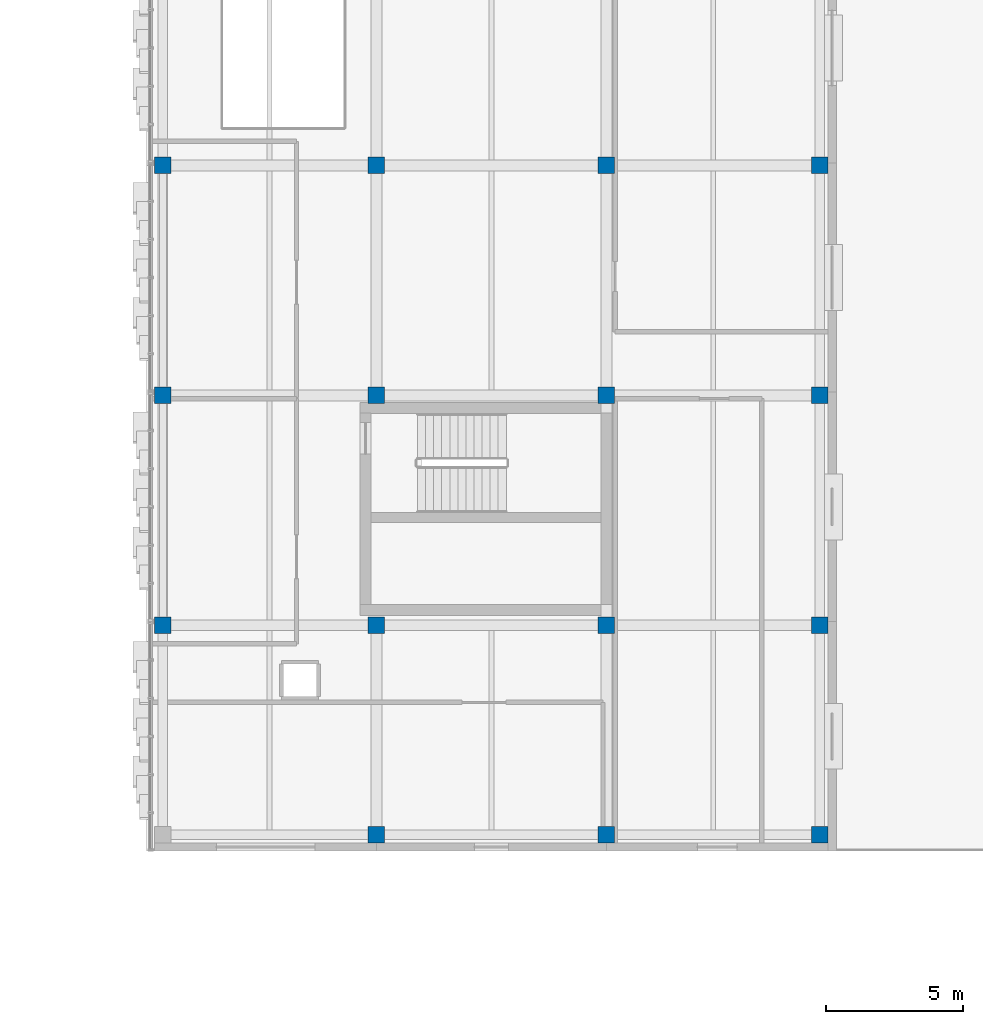
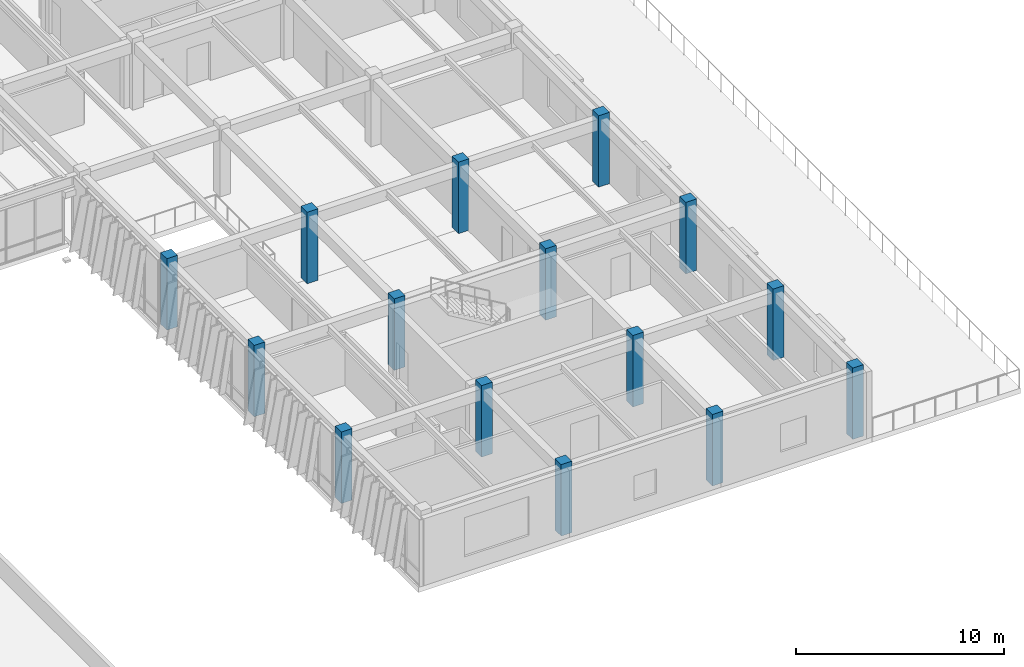
# One storey, part 6 of 127: 15 columns.
"""IFC4 building model written with IfcOpenShell, lengths in metres."""

import ifcopenshell
import ifcopenshell.guid

model = None  # the IFC model being written
_history = None  # IfcOwnerHistory: only IFC2X3 demands one
_inside = {}  # id of a spatial element -> (the spatial element, [elements in it])
_under = {}  # id of a project, library or spatial element -> (it, [spatial elements below it])
_declared = {}  # id of a project -> (the project, [libraries it declares])
_typed = {}  # id of a type object -> (the type object, [elements of that type])
_made_of = {}  # id of a material, layer set ... -> (it, [elements and type objects made of it])


def new_model(schema):
    """Start an empty IFC model of exactly this schema.

    Asked for "IFC4X3", IfcOpenShell would pick the latest addendum, in which some entities
    have other attributes; the version numbers below select the first issue.
    IFC2X3 requires an IfcOwnerHistory on every rooted entity: one is made here for all.
    """
    global model, _history
    if schema == "IFC4X3":
        model = ifcopenshell.file(schema_version=(4, 3, 0, 0))
    else:
        model = ifcopenshell.file(schema=schema)
    _inside.clear()
    _under.clear()
    _declared.clear()
    _typed.clear()
    _made_of.clear()
    _history = None
    if model.schema == "IFC2X3":
        org = make("IfcOrganization", Name="unknown")
        user = make(
            "IfcPersonAndOrganization",
            ThePerson=make("IfcPerson", FamilyName="unknown"),
            TheOrganization=org,
        )
        app = make(
            "IfcApplication",
            ApplicationDeveloper=org,
            Version="unknown",
            ApplicationFullName="unknown",
            ApplicationIdentifier="unknown",
        )
        _history = make(
            "IfcOwnerHistory",
            OwningUser=user,
            OwningApplication=app,
            ChangeAction="ADDED",
            CreationDate=0,
        )
    return model


def make(cls, **values):
    """One entity of the class cls with the attributes given. An attribute that is None is left unset."""
    return model.create_entity(
        cls, **{name: value for name, value in values.items() if value is not None}
    )


def rooted(cls, **values):
    """An entity with a GlobalId (a new one), such as an element, a storey or a relation."""
    return make(cls, GlobalId=ifcopenshell.guid.new(), OwnerHistory=_history, **values)


def si_unit(unit_type, name, prefix=None):
    """IfcSIUnit, for example si_unit("LENGTHUNIT", "METRE", prefix="MILLI")."""
    return make("IfcSIUnit", UnitType=unit_type, Prefix=prefix, Name=name)


def assignment(units):
    """IfcUnitAssignment: the units of a project."""
    return None if units is None else make("IfcUnitAssignment", Units=units)


def point(xyz):
    """IfcCartesianPoint."""
    return None if xyz is None else make("IfcCartesianPoint", Coordinates=xyz)


def direction(xyz):
    """IfcDirection."""
    return None if xyz is None else make("IfcDirection", DirectionRatios=xyz)


def frame(location, z_axis=None, x_axis=None):
    """IfcAxis2Placement3D, a coordinate frame: its origin and axes. An axis left out is left unset."""
    return make(
        "IfcAxis2Placement3D",
        Location=point(location),
        Axis=direction(z_axis),
        RefDirection=direction(x_axis),
    )


def frame_2d(location, x_axis=None):
    """IfcAxis2Placement2D, a coordinate frame in the plane: its origin and x axis."""
    return make(
        "IfcAxis2Placement2D", Location=point(location), RefDirection=direction(x_axis)
    )


def origin():
    """The frame at (0, 0, 0) with its axes left unset."""
    return frame((0.0, 0.0, 0.0))


def origin_2d():
    """The frame at (0, 0) in the plane with its x axis left unset."""
    return frame_2d((0.0, 0.0))


def place(relative_to, where):
    """IfcLocalPlacement: puts the frame where relative to a parent placement (None: the world)."""
    return make(
        "IfcLocalPlacement", PlacementRelTo=relative_to, RelativePlacement=where
    )


def context(
    kind, dimensions, precision=None, world=None, true_north=None, identifier=None
):
    """IfcGeometricRepresentationContext, for example the 3D "Model" context."""
    return make(
        "IfcGeometricRepresentationContext",
        ContextIdentifier=identifier,
        ContextType=kind,
        CoordinateSpaceDimension=dimensions,
        Precision=precision,
        WorldCoordinateSystem=world,
        TrueNorth=true_north,
    )


def subcontext(parent, identifier, kind, view, scale=None):
    """IfcGeometricRepresentationSubContext, for example "Body" below "Model"."""
    return make(
        "IfcGeometricRepresentationSubContext",
        ContextIdentifier=identifier,
        ContextType=kind,
        ParentContext=parent,
        TargetScale=scale,
        TargetView=view,
    )


def project(units=None, contexts=None):
    """IfcProject with its units and contexts."""
    return rooted(
        "IfcProject",
        Name="project",
        RepresentationContexts=contexts,
        UnitsInContext=assignment(units),
    )


def spatial(cls, under=None, at=None, **own):
    """A site, building, storey or space (cls), placed at a placement, below another one or the project."""
    s = rooted(cls, ObjectPlacement=at, **own)
    if under is not None:
        _under.setdefault(under.id(), (under, []))[1].append(s)
    return s


def profile(cls, at=None, kind="AREA", **sizes):
    """A parametric profile (cls). Its sizes go by their IFC names, for example OverallWidth=200.0."""
    return make(cls, ProfileType=kind, Position=at, **sizes)


def rectangle(**sizes):
    """IfcRectangleProfileDef."""
    return profile("IfcRectangleProfileDef", **sizes)


def extrude(swept, where, along, depth):
    """IfcExtrudedAreaSolid: the profile swept, set in the frame where, extruded along a direction by depth."""
    return make(
        "IfcExtrudedAreaSolid",
        SweptArea=swept,
        Position=where,
        ExtrudedDirection=direction(along),
        Depth=depth,
    )


def shape(context_of_items, identifier, shape_type, items):
    """IfcShapeRepresentation: the items that make up one representation, for example the "Body"."""
    return make(
        "IfcShapeRepresentation",
        ContextOfItems=context_of_items,
        RepresentationIdentifier=identifier,
        RepresentationType=shape_type,
        Items=items,
    )


def material(Name=None, Category=None):
    """IfcMaterial."""
    return make("IfcMaterial", Name=Name, Category=Category)


def material_profile(
    of_material, cross_section, Name=None, Category=None, Priority=None
):
    """IfcMaterialProfile: a cross section and its material."""
    return make(
        "IfcMaterialProfile",
        Name=Name,
        Material=of_material,
        Profile=cross_section,
        Priority=Priority,
        Category=Category,
    )


def profile_set(profiles, Name=None, composite=None):
    """IfcMaterialProfileSet."""
    return make(
        "IfcMaterialProfileSet",
        Name=Name,
        MaterialProfiles=profiles,
        CompositeProfile=composite,
    )


def made_of(thing, what):
    """Note that an element or type object is made of a material, layer set ...; save() writes the relation."""
    if what is not None:
        _made_of.setdefault(what.id(), (what, []))[1].append(thing)
    return thing


def type_object(cls, material=None, **own):
    """A type object (cls), such as IfcWallType, which elements share."""
    return made_of(rooted(cls, **own), material)


def element(
    cls,
    number,
    at=None,
    inside=None,
    cuts=None,
    type_object=None,
    material=None,
    context=None,
    identifier="Body",
    shape_type=None,
    held_by="IfcProductDefinitionShape",
    body=None,
    shapes=None,
    **own,
):
    """One element of the class cls, such as IfcWall. Its Tag is "e" and its number.

    at: its placement. inside: the storey or other place that contains it. cuts: it is an
    opening in that element (IfcRelVoidsElement). A single representation is given by context,
    identifier, shape_type and body (its items); several are given by shapes. held_by: the class
    of the entity that holds the representations. save() writes the other relations.
    """
    e = rooted(cls, Tag="e%d" % number, ObjectPlacement=at, **own)
    if body is not None:
        shapes = [shape(context, identifier, shape_type, body)]
    if shapes is not None:
        e.Representation = make(held_by, Representations=shapes)
    if inside is not None:
        _inside.setdefault(inside.id(), (inside, []))[1].append(e)
    if cuts is not None:
        rooted(
            "IfcRelVoidsElement", RelatingBuildingElement=cuts, RelatedOpeningElement=e
        )
    if type_object is not None:
        _typed.setdefault(type_object.id(), (type_object, []))[1].append(e)
    return made_of(e, material)


def aggregate(whole, parts):
    """IfcRelAggregates: a whole, such as a stair, and the parts it consists of."""
    return rooted("IfcRelAggregates", RelatingObject=whole, RelatedObjects=parts)


def save(model, path):
    """Write the relations noted so far, then the file.

    IfcRelAggregates (storeys below a building ...), IfcRelContainedInSpatialStructure (elements
    in a storey), IfcRelDefinesByType, IfcRelAssociatesMaterial and IfcRelDeclares: one each for
    every whole, place, type object, material and project.
    """
    for whole, parts in _under.values():
        aggregate(whole, parts)
    for where, things in _inside.values():
        rooted(
            "IfcRelContainedInSpatialStructure",
            RelatedElements=things,
            RelatingStructure=where,
        )
    for kind, things in _typed.values():
        rooted("IfcRelDefinesByType", RelatedObjects=things, RelatingType=kind)
    for what, things in _made_of.values():
        rooted("IfcRelAssociatesMaterial", RelatedObjects=things, RelatingMaterial=what)
    for by, libraries in _declared.values():
        rooted("IfcRelDeclares", RelatingContext=by, RelatedDefinitions=libraries)
    model.write(path)


model = new_model("IFC4")

# Units and contexts
model_context = context("Model", 3, precision=1e-05, world=origin(), true_north=direction((0.0, 1.0)))
body_context = subcontext(model_context, "Body", "Model", "MODEL_VIEW")
ifc_project = project(units=[si_unit("LENGTHUNIT", "METRE"), si_unit("AREAUNIT", "SQUARE_METRE"), si_unit("VOLUMEUNIT", "CUBIC_METRE"), si_unit("PLANEANGLEUNIT", "RADIAN"), si_unit("MASSUNIT", "GRAM", prefix="KILO")], contexts=[model_context])

# Site, building, storey
site_placement = place(None, origin())
site = spatial("IfcSite", under=ifc_project, at=site_placement, CompositionType="ELEMENT")
building_placement = place(site_placement, origin())
building = spatial("IfcBuilding", under=site, at=building_placement, Name="Zayran Congress Hotel", CompositionType="ELEMENT")
storey_placement = place(building_placement, frame((0.0, 0.0, 10.800048828125)))
storey = spatial("IfcBuildingStorey", under=building, at=storey_placement, Name="L02", CompositionType="ELEMENT", Elevation=10.800048828125)

# Columns
ifc_material = material(Name="Concrete C40/50", Category="concrete")
ifc_material_profile = material_profile(ifc_material, rectangle(XDim=0.60009765625, YDim=0.60009765625, at=origin_2d()), Name="RC 600x600")
ifc_profile_set = profile_set([ifc_material_profile], Name="Concrete C40/50")
column_type = type_object("IfcColumnType", Name="TP-CL-04", PredefinedType="COLUMN", material=ifc_profile_set)
for number, where, z_axis, x_axis, name in (
    (1, (109.800048828125, 50.800048828125, 0.0), (0.0, 0.0, 1.0), (1.0, 0.0, 0.0), "COL-V4-L02-0794"),
    (2, (109.800048828125, 59.199951171875, 0.0), (0.0, 0.0, 1.0), (1.0, 0.0, 0.0), "COL-V4-L02-0795"),
    (3, (109.800048828125, 67.60009765625, 0.0), (0.0, 0.0, 1.0), (1.0, 0.0, 0.0), "COL-V4-L02-0796"),
    (4, (117.60009765625, 43.14990234375, 0.0), (0.0, 0.0, 1.0), (1.0, 0.0, 0.0), "COL-V4-L02-0802"),
    (5, (117.60009765625, 50.800048828125, 0.0), (0.0, 0.0, 1.0), (1.0, 0.0, 0.0), "COL-V4-L02-0803"),
    (6, (117.60009765625, 59.199951171875, 0.0), (0.0, 0.0, 1.0), (1.0, 0.0, 0.0), "COL-V4-L02-0804"),
    (7, (117.60009765625, 67.60009765625, 0.0), (0.0, 0.0, 1.0), (1.0, 0.0, 0.0), "COL-V4-L02-0805"),
    (8, (126.0, 43.14990234375, 0.0), (0.0, 0.0, 1.0), (1.0, 0.0, 0.0), "COL-V4-L02-0811"),
    (9, (126.0, 50.800048828125, 0.0), (0.0, 0.0, 1.0), (1.0, 0.0, 0.0), "COL-V4-L02-0812"),
    (10, (126.0, 59.199951171875, 0.0), (0.0, 0.0, 1.0), (1.0, 0.0, 0.0), "COL-V4-L02-0813"),
    (11, (126.0, 67.60009765625, 0.0), (0.0, 0.0, 1.0), (1.0, 0.0, 0.0), "COL-V4-L02-0814"),
    (12, (133.800048828125, 43.14990234375, 0.0), (0.0, 0.0, 1.0), (1.0, 0.0, 0.0), "COL-V4-L02-0820"),
    (13, (133.800048828125, 50.800048828125, 0.0), (0.0, 0.0, 1.0), (1.0, 0.0, 0.0), "COL-V4-L02-0821"),
    (14, (133.800048828125, 59.199951171875, 0.0), (0.0, 0.0, 1.0), (1.0, 0.0, 0.0), "COL-V4-L02-0822"),
    (15, (133.800048828125, 67.60009765625, 0.0), (0.0, 0.0, 1.0), (1.0, 0.0, 0.0), "COL-V4-L02-0823"),
):
    element("IfcColumn", number, at=place(storey_placement, frame(where, z_axis=z_axis, x_axis=x_axis)), inside=storey, type_object=column_type, Name=name, PredefinedType="COLUMN", context=body_context, shape_type="SweptSolid", body=[
        extrude(rectangle(XDim=0.60009765625, YDim=0.60009765625, at=origin_2d()), origin(), (0.0, 0.0, 1.0), 4.199951171875),
    ])

save(model, "model.ifc")
